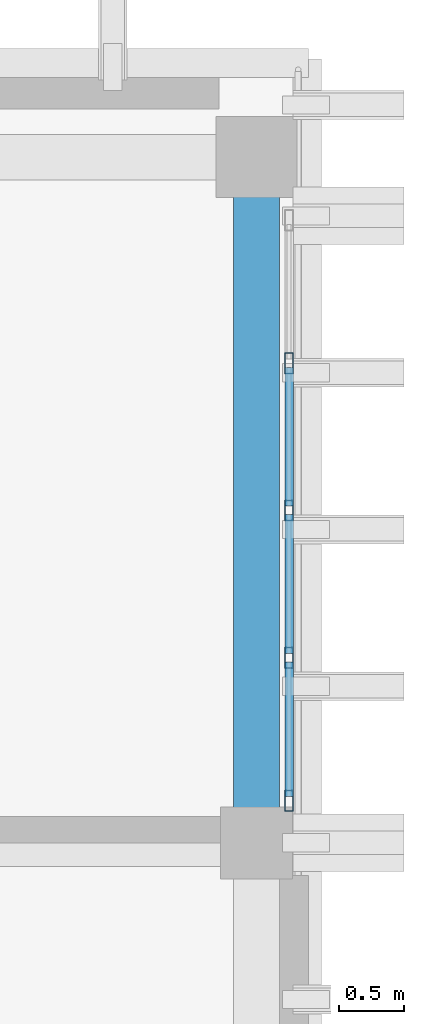
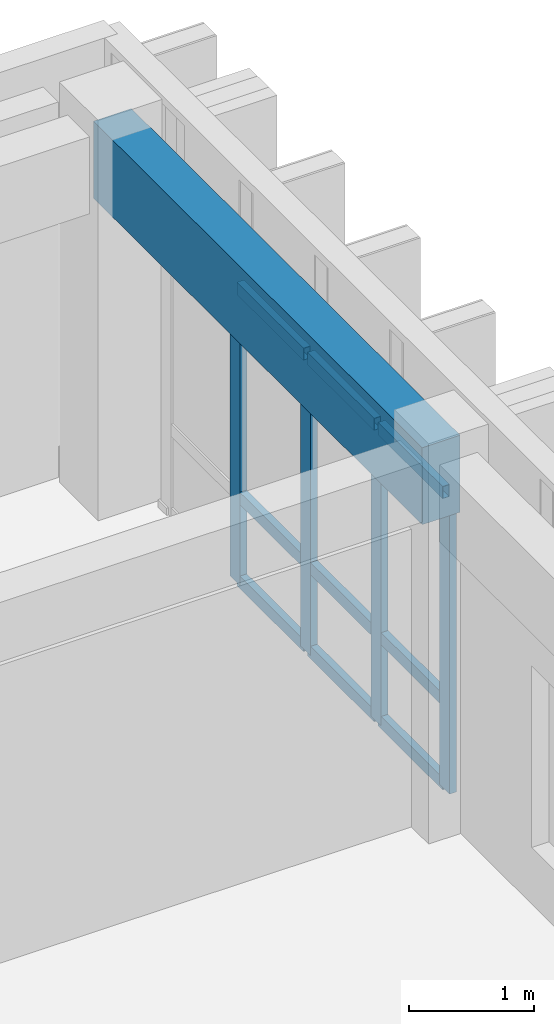
# One storey, part 35 of 50: 13 members, 1 beam, 1 element without a shape of its own.
"""IFC4 building model written with IfcOpenShell, lengths in metres."""

from ifc_helpers import new_model, si_unit, direction, frame, origin, origin_2d, place, context, subcontext, project, spatial, rectangle, hollow_rectangle, extrude, material, layer, layer_set, material_profile, profile_set, type_object, element, aggregate, save


model = new_model("IFC4")

# Units and contexts
model_context = context("Model", 3, precision=1e-05, world=origin(), true_north=direction((0.0, 1.0)))
body_context = subcontext(model_context, "Body", "Model", "MODEL_VIEW")
ifc_project = project(units=[si_unit("LENGTHUNIT", "METRE"), si_unit("AREAUNIT", "SQUARE_METRE"), si_unit("VOLUMEUNIT", "CUBIC_METRE"), si_unit("PLANEANGLEUNIT", "RADIAN"), si_unit("MASSUNIT", "GRAM", prefix="KILO")], contexts=[model_context])

# Site, building, storey
site_placement = place(None, origin())
site = spatial("IfcSite", under=ifc_project, at=site_placement, CompositionType="ELEMENT")
building_placement = place(site_placement, origin())
building = spatial("IfcBuilding", under=site, at=building_placement, Name="Nakhvara Creek Congress Hotel", CompositionType="ELEMENT")
storey_placement = place(building_placement, frame((0.0, 0.0, 42.60009765625)))
storey = spatial("IfcBuildingStorey", under=building, at=storey_placement, Name="L10", CompositionType="ELEMENT", Elevation=42.60009765625)

# Beam
ifc_material_1 = material(Name="Concrete C40/50", Category="concrete")
ifc_material_profile_1 = material_profile(ifc_material_1, rectangle(XDim=0.35009765625, YDim=0.75, at=origin_2d()), Name="RC-SPANDREL 350x750", Category="LoadBearing")
ifc_profile_set_1 = profile_set([ifc_material_profile_1], Name="Concrete C40/50")
beam_type = type_object("IfcBeamType", Name="BM-SPN-350X750", PredefinedType="SPANDREL", material=ifc_profile_set_1)
beam_placement = place(storey_placement, frame((179.35009765625, 120.0, 3.284912109375), z_axis=(0.0, 1.0, 0.0), x_axis=(-1.0, 0.0, 0.0)))
element("IfcBeam", 1, at=beam_placement, inside=storey, type_object=beam_type, Name="Beam SP1-L10-2700", PredefinedType="SPANDREL", context=body_context, shape_type="SweptSolid", body=[
    extrude(rectangle(XDim=0.35009765625, YDim=0.75, at=origin_2d()), origin(), (0.0, 0.0, 1.0), 5.25),
])

# Curtain wall, members
ifc_material_2 = material(Name="Bronze-anodised aluminium AW-6063-T6 and double-silver low-E glass", Category="aluminium")
ifc_layer = layer(ifc_material_2, 0.199951171875)
ifc_layer_set = layer_set([ifc_layer], Name="Bronze-anodised aluminium AW-6063-T6 and double-silver low-E glass")
curtain_wall_type = type_object("IfcCurtainWallType", Name="CW-HTL-UNIT", PredefinedType="USERDEFINED", material=ifc_layer_set)
curtain_wall_placement = place(storey_placement, origin())
curtain_wall = element("IfcCurtainWall", 2, at=curtain_wall_placement, inside=storey, type_object=curtain_wall_type, Name="Curtain Wall CW330", ObjectType="UNITISED", PredefinedType="USERDEFINED")
ifc_material_3 = material(Name="Bronze-anodised aluminium AW-6063-T6", Category="aluminium")
ifc_material_profile_2 = material_profile(ifc_material_3, hollow_rectangle(XDim=0.06494140625, YDim=0.159912109375, WallThickness=0.00390625, at=origin_2d()), Name="ALU-MULL 65x160x4", Category="LoadBearing")
ifc_profile_set_2 = profile_set([ifc_material_profile_2], Name="Bronze-anodised aluminium AW-6063-T6")
member_type_1 = type_object("IfcMemberType", Name="CW-MULL-160", PredefinedType="MULLION", material=ifc_profile_set_2)
member_1_placement = place(storey_placement, frame((179.60009765625, 123.672607421875, 0.0), z_axis=(0.0, 0.0, 1.0), x_axis=(1.0, 0.0, 0.0)))
member_1 = element("IfcMember", 3, at=member_1_placement, type_object=member_type_1, Name="CW330 mullion 2", PredefinedType="MULLION", context=body_context, shape_type="SweptSolid", body=[
    extrude(hollow_rectangle(XDim=0.06494140625, YDim=0.159912109375, WallThickness=0.00390625, at=origin_2d()), origin(), (0.0, 0.0, 1.0), 2.90185546875),
])
member_2_placement = place(storey_placement, frame((179.60009765625, 122.544921875, 0.0), z_axis=(0.0, 0.0, 1.0), x_axis=(1.0, 0.0, 0.0)))
member_2 = element("IfcMember", 4, at=member_2_placement, type_object=member_type_1, Name="CW330 mullion 3", PredefinedType="MULLION", context=body_context, shape_type="SweptSolid", body=[
    extrude(hollow_rectangle(XDim=0.06494140625, YDim=0.159912109375, WallThickness=0.00390625, at=origin_2d()), origin(), (0.0, 0.0, 1.0), 2.90185546875),
])
member_3_placement = place(storey_placement, frame((179.60009765625, 121.41748046875, 0.0), z_axis=(0.0, 0.0, 1.0), x_axis=(1.0, 0.0, 0.0)))
member_3 = element("IfcMember", 5, at=member_3_placement, type_object=member_type_1, Name="CW330 mullion 4", PredefinedType="MULLION", context=body_context, shape_type="SweptSolid", body=[
    extrude(hollow_rectangle(XDim=0.06494140625, YDim=0.159912109375, WallThickness=0.00390625, at=origin_2d()), origin(), (0.0, 0.0, 1.0), 2.90185546875),
])
member_4_placement = place(storey_placement, frame((179.60009765625, 120.322509765625, 0.0), z_axis=(0.0, 0.0, 1.0), x_axis=(1.0, 0.0, 0.0)))
member_4 = element("IfcMember", 6, at=member_4_placement, type_object=member_type_1, Name="CW330 mullion 5", PredefinedType="MULLION", context=body_context, shape_type="SweptSolid", body=[
    extrude(hollow_rectangle(XDim=0.06494140625, YDim=0.159912109375, WallThickness=0.00390625, at=origin_2d()), origin(), (0.0, 0.0, 1.0), 2.90185546875),
])
ifc_material_profile_3 = material_profile(ifc_material_3, hollow_rectangle(XDim=0.06494140625, YDim=0.1201171875, WallThickness=0.00390625, at=origin_2d()), Name="ALU-TRAN 65x120x4", Category="LoadBearing")
ifc_profile_set_3 = profile_set([ifc_material_profile_3], Name="Bronze-anodised aluminium AW-6063-T6")
member_type_2 = type_object("IfcMemberType", Name="CW-TRAN-120", PredefinedType="USERDEFINED", material=ifc_profile_set_3)
member_5_placement = place(storey_placement, frame((179.60009765625, 123.639892578125, 0.032470703125), z_axis=(0.0, -1.0, 0.0), x_axis=(1.0, 0.0, 0.0)))
member_5 = element("IfcMember", 7, at=member_5_placement, type_object=member_type_2, Name="CW330 transom 2.1", ObjectType="TRANSOM", PredefinedType="USERDEFINED", context=body_context, shape_type="SweptSolid", body=[
    extrude(hollow_rectangle(XDim=0.06494140625, YDim=0.1201171875, WallThickness=0.00390625, at=origin_2d()), origin(), (0.0, 0.0, 1.0), 1.0625),
])
member_6_placement = place(storey_placement, frame((179.60009765625, 123.639892578125, 0.849853515625), z_axis=(0.0, -1.0, 0.0), x_axis=(1.0, 0.0, 0.0)))
member_6 = element("IfcMember", 8, at=member_6_placement, type_object=member_type_2, Name="CW330 transom 2.2", ObjectType="TRANSOM", PredefinedType="USERDEFINED", context=body_context, shape_type="SweptSolid", body=[
    extrude(hollow_rectangle(XDim=0.06494140625, YDim=0.1201171875, WallThickness=0.00390625, at=origin_2d()), origin(), (0.0, 0.0, 1.0), 1.0625),
])
member_7_placement = place(storey_placement, frame((179.60009765625, 123.639892578125, 2.869384765625), z_axis=(0.0, -1.0, 0.0), x_axis=(1.0, 0.0, 0.0)))
member_7 = element("IfcMember", 9, at=member_7_placement, type_object=member_type_2, Name="CW330 transom 2.3", ObjectType="TRANSOM", PredefinedType="USERDEFINED", context=body_context, shape_type="SweptSolid", body=[
    extrude(hollow_rectangle(XDim=0.06494140625, YDim=0.1201171875, WallThickness=0.00390625, at=origin_2d()), origin(), (0.0, 0.0, 1.0), 1.0625),
])
member_8_placement = place(storey_placement, frame((179.60009765625, 122.512451171875, 0.032470703125), z_axis=(0.0, -1.0, 0.0), x_axis=(1.0, 0.0, 0.0)))
member_8 = element("IfcMember", 10, at=member_8_placement, type_object=member_type_2, Name="CW330 transom 3.1", ObjectType="TRANSOM", PredefinedType="USERDEFINED", context=body_context, shape_type="SweptSolid", body=[
    extrude(hollow_rectangle(XDim=0.06494140625, YDim=0.1201171875, WallThickness=0.00390625, at=origin_2d()), origin(), (0.0, 0.0, 1.0), 1.0625),
])
member_9_placement = place(storey_placement, frame((179.60009765625, 122.512451171875, 0.849853515625), z_axis=(0.0, -1.0, 0.0), x_axis=(1.0, 0.0, 0.0)))
member_9 = element("IfcMember", 11, at=member_9_placement, type_object=member_type_2, Name="CW330 transom 3.2", ObjectType="TRANSOM", PredefinedType="USERDEFINED", context=body_context, shape_type="SweptSolid", body=[
    extrude(hollow_rectangle(XDim=0.06494140625, YDim=0.1201171875, WallThickness=0.00390625, at=origin_2d()), origin(), (0.0, 0.0, 1.0), 1.0625),
])
member_10_placement = place(storey_placement, frame((179.60009765625, 122.512451171875, 2.869384765625), z_axis=(0.0, -1.0, 0.0), x_axis=(1.0, 0.0, 0.0)))
member_10 = element("IfcMember", 12, at=member_10_placement, type_object=member_type_2, Name="CW330 transom 3.3", ObjectType="TRANSOM", PredefinedType="USERDEFINED", context=body_context, shape_type="SweptSolid", body=[
    extrude(hollow_rectangle(XDim=0.06494140625, YDim=0.1201171875, WallThickness=0.00390625, at=origin_2d()), origin(), (0.0, 0.0, 1.0), 1.0625),
])
member_11_placement = place(storey_placement, frame((179.60009765625, 121.385009765625, 0.032470703125), z_axis=(0.0, -1.0, 0.0), x_axis=(1.0, 0.0, 0.0)))
member_11 = element("IfcMember", 13, at=member_11_placement, type_object=member_type_2, Name="CW330 transom 4.1", ObjectType="TRANSOM", PredefinedType="USERDEFINED", context=body_context, shape_type="SweptSolid", body=[
    extrude(hollow_rectangle(XDim=0.06494140625, YDim=0.1201171875, WallThickness=0.00390625, at=origin_2d()), origin(), (0.0, 0.0, 1.0), 1.030029296875),
])
member_12_placement = place(storey_placement, frame((179.60009765625, 121.385009765625, 0.849853515625), z_axis=(0.0, -1.0, 0.0), x_axis=(1.0, 0.0, 0.0)))
member_12 = element("IfcMember", 14, at=member_12_placement, type_object=member_type_2, Name="CW330 transom 4.2", ObjectType="TRANSOM", PredefinedType="USERDEFINED", context=body_context, shape_type="SweptSolid", body=[
    extrude(hollow_rectangle(XDim=0.06494140625, YDim=0.1201171875, WallThickness=0.00390625, at=origin_2d()), origin(), (0.0, 0.0, 1.0), 1.030029296875),
])
member_13_placement = place(storey_placement, frame((179.60009765625, 121.385009765625, 2.869384765625), z_axis=(0.0, -1.0, 0.0), x_axis=(1.0, 0.0, 0.0)))
member_13 = element("IfcMember", 15, at=member_13_placement, type_object=member_type_2, Name="CW330 transom 4.3", ObjectType="TRANSOM", PredefinedType="USERDEFINED", context=body_context, shape_type="SweptSolid", body=[
    extrude(hollow_rectangle(XDim=0.06494140625, YDim=0.1201171875, WallThickness=0.00390625, at=origin_2d()), origin(), (0.0, 0.0, 1.0), 1.030029296875),
])
aggregate(curtain_wall, [member_1, member_2, member_3, member_4, member_5, member_6, member_7, member_8, member_9, member_10, member_11, member_12, member_13])

save(model, "model.ifc")
